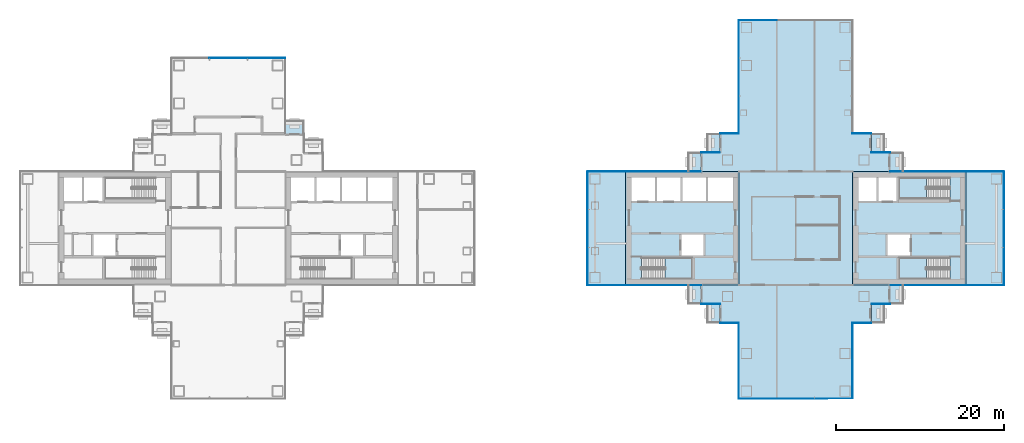
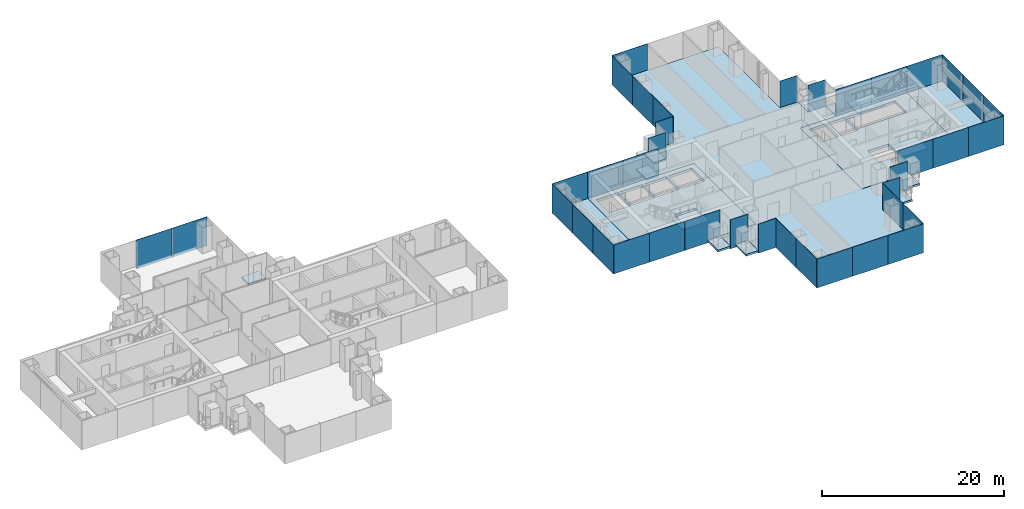
# One storey, part 10 of 20: 39 plates, 17 slabs, 23 elements without a shape of their own.
"""IFC4 building model written with IfcOpenShell, lengths in metres."""

from ifc_helpers import new_model, si_unit, direction, frame, origin, origin_2d, place, context, subcontext, project, spatial, polyline, rectangle, outline, extrude, material, layer, layer_set, type_object, element, aggregate, save


model = new_model("IFC4")

# Units and contexts
model_context = context("Model", 3, precision=1e-05, world=origin(), true_north=direction((0.0, 1.0)))
body_context = subcontext(model_context, "Body", "Model", "MODEL_VIEW")
ifc_project = project(units=[si_unit("LENGTHUNIT", "METRE"), si_unit("AREAUNIT", "SQUARE_METRE"), si_unit("VOLUMEUNIT", "CUBIC_METRE"), si_unit("PLANEANGLEUNIT", "RADIAN"), si_unit("MASSUNIT", "GRAM", prefix="KILO")], contexts=[model_context])

# Site, building, storey
site_placement = place(None, origin())
site = spatial("IfcSite", under=ifc_project, at=site_placement, CompositionType="ELEMENT")
building_placement = place(site_placement, origin())
building = spatial("IfcBuilding", under=site, at=building_placement, Name="Shamsa Quay Exchange Towers", CompositionType="ELEMENT")
storey_placement = place(building_placement, frame((0.0, 0.0, 124.800048828125)))
storey = spatial("IfcBuildingStorey", under=building, at=storey_placement, Name="L29", CompositionType="ELEMENT", Elevation=124.800048828125)

# Slabs
ifc_material_1 = material(Name="Precast concrete C40/50", Category="concrete")
ifc_layer_1 = layer(ifc_material_1, 0.25)
ifc_layer_set_1 = layer_set([ifc_layer_1], Name="BALCONY SLAB 250")
slab_type_1 = type_object("IfcSlabType", Name="BALCONY SLAB 250", PredefinedType="FLOOR", material=ifc_layer_set_1)
slab_1_placement = place(storey_placement, frame((0.0, 0.0, -0.25)))
element("IfcSlab", 1, at=slab_1_placement, inside=storey, type_object=slab_type_1, Name="Balcony T1-PKEN L29", PredefinedType="FLOOR", context=body_context, shape_type="SweptSolid", body=[
    extrude(outline(polyline([(-24.75, 11.25), (-26.9619140625, 11.25), (-26.9619140625, 12.800048828125), (-24.75, 12.800048828125), (-24.75, 11.25)])), origin(), (0.0, 0.0, 1.0), 0.25),
])
slab_2_placement = place(storey_placement, frame((0.0, 0.0, -0.25)))
element("IfcSlab", 2, at=slab_2_placement, inside=storey, type_object=slab_type_1, Name="Balcony T2-PKEN L29", PredefinedType="FLOOR", context=body_context, shape_type="SweptSolid", body=[
    extrude(outline(polyline([(24.75, 11.25), (24.75, 9.0380859375), (23.199951171875, 9.0380859375), (23.199951171875, 11.25), (24.75, 11.25)])), origin(), (0.0, 0.0, 1.0), 0.25),
])
slab_3_placement = place(storey_placement, frame((0.0, 0.0, -0.25)))
element("IfcSlab", 3, at=slab_3_placement, inside=storey, type_object=slab_type_1, Name="Balcony T2-PKEN L29", PredefinedType="FLOOR", context=body_context, shape_type="SweptSolid", body=[
    extrude(outline(polyline([(22.5, 9.0), (22.5, 6.7880859375), (20.949951171875, 6.7880859375), (20.949951171875, 9.0), (22.5, 9.0)])), origin(), (0.0, 0.0, 1.0), 0.25),
])
slab_4_placement = place(storey_placement, frame((0.0, 0.0, -0.25)))
element("IfcSlab", 4, at=slab_4_placement, inside=storey, type_object=slab_type_1, Name="Balcony T2-PKES L29", PredefinedType="FLOOR", context=body_context, shape_type="SweptSolid", body=[
    extrude(outline(polyline([(42.75, 9.0380859375), (42.75, 11.25), (44.300048828125, 11.25), (44.300048828125, 9.0380859375), (42.75, 9.0380859375)])), origin(), (0.0, 0.0, 1.0), 0.25),
])
slab_5_placement = place(storey_placement, frame((0.0, 0.0, -0.25)))
element("IfcSlab", 5, at=slab_5_placement, inside=storey, type_object=slab_type_1, Name="Balcony T2-PKES L29", PredefinedType="FLOOR", context=body_context, shape_type="SweptSolid", body=[
    extrude(outline(polyline([(45.0, 6.7880859375), (45.0, 9.0), (46.550048828125, 9.0), (46.550048828125, 6.7880859375), (45.0, 6.7880859375)])), origin(), (0.0, 0.0, 1.0), 0.25),
])
slab_6_placement = place(storey_placement, frame((0.0, 0.0, -0.25)))
element("IfcSlab", 6, at=slab_6_placement, inside=storey, type_object=slab_type_1, Name="Balcony T2-PKWN L29", PredefinedType="FLOOR", context=body_context, shape_type="SweptSolid", body=[
    extrude(outline(polyline([(22.5, -6.7880859375), (22.5, -9.0), (20.949951171875, -9.0), (20.949951171875, -6.7880859375), (22.5, -6.7880859375)])), origin(), (0.0, 0.0, 1.0), 0.25),
])
slab_7_placement = place(storey_placement, frame((0.0, 0.0, -0.25)))
element("IfcSlab", 7, at=slab_7_placement, inside=storey, type_object=slab_type_1, Name="Balcony T2-PKWN L29", PredefinedType="FLOOR", context=body_context, shape_type="SweptSolid", body=[
    extrude(outline(polyline([(24.75, -9.0380859375), (24.75, -11.25), (23.199951171875, -11.25), (23.199951171875, -9.0380859375), (24.75, -9.0380859375)])), origin(), (0.0, 0.0, 1.0), 0.25),
])
slab_8_placement = place(storey_placement, frame((0.0, 0.0, -0.25)))
element("IfcSlab", 8, at=slab_8_placement, inside=storey, type_object=slab_type_1, Name="Balcony T2-PKWS L29", PredefinedType="FLOOR", context=body_context, shape_type="SweptSolid", body=[
    extrude(outline(polyline([(42.75, -11.25), (42.75, -9.0380859375), (44.300048828125, -9.0380859375), (44.300048828125, -11.25), (42.75, -11.25)])), origin(), (0.0, 0.0, 1.0), 0.25),
])
slab_9_placement = place(storey_placement, frame((0.0, 0.0, -0.25)))
element("IfcSlab", 9, at=slab_9_placement, inside=storey, type_object=slab_type_1, Name="Balcony T2-PKWS L29", PredefinedType="FLOOR", context=body_context, shape_type="SweptSolid", body=[
    extrude(outline(polyline([(45.0, -9.0), (45.0, -6.7880859375), (46.550048828125, -6.7880859375), (46.550048828125, -9.0), (45.0, -9.0)])), origin(), (0.0, 0.0, 1.0), 0.25),
])
ifc_material_2 = material(Name="Concrete C50/60", Category="concrete")
ifc_layer_2 = layer(ifc_material_2, 0.35009765625)
ifc_layer_set_2 = layer_set([ifc_layer_2], Name="CORE FLOOR 350 C50/60")
slab_type_2 = type_object("IfcSlabType", Name="CORE FLOOR 350 C50/60", PredefinedType="FLOOR", material=ifc_layer_set_2)
slab_10_placement = place(storey_placement, frame((0.0, 0.0, -0.35009765625)))
element("IfcSlab", 10, at=slab_10_placement, inside=storey, type_object=slab_type_2, Name="Core floor T2A", PredefinedType="FLOOR", context=body_context, shape_type="SweptSolid", body=[
    extrude(outline(polyline([(13.5, -6.75), (27.0, -6.75), (27.0, 6.75), (13.5, 6.75), (13.5, -6.75)]), holes=[polyline([(15.400634765625, -6.050048828125), (15.400634765625, -3.5), (21.5, -3.5), (21.5, -6.050048828125), (15.400634765625, -6.050048828125)]), polyline([(14.199951171875, 3.25), (14.199951171875, 6.050048828125), (17.0, 6.050048828125), (17.0, 3.25), (14.199951171875, 3.25)]), polyline([(17.25, 3.25), (17.25, 6.050048828125), (20.050048828125, 6.050048828125), (20.050048828125, 3.25), (17.25, 3.25)]), polyline([(20.300048828125, 3.25), (20.300048828125, 6.050048828125), (23.10009765625, 6.050048828125), (23.10009765625, 3.25), (20.300048828125, 3.25)]), polyline([(23.35009765625, 3.25), (23.35009765625, 6.050048828125), (26.300048828125, 6.050048828125), (26.300048828125, 3.25), (23.35009765625, 3.25)]), polyline([(20.14990234375, -3.25), (20.14990234375, -0.75), (22.800048828125, -0.75), (22.800048828125, -3.25), (20.14990234375, -3.25)])]), origin(), (0.0, 0.0, 1.0), 0.35009765625),
])
slab_11_placement = place(storey_placement, frame((0.0, 0.0, -0.35009765625)))
element("IfcSlab", 11, at=slab_11_placement, inside=storey, type_object=slab_type_2, Name="Core floor T2B", PredefinedType="FLOOR", context=body_context, shape_type="SweptSolid", body=[
    extrude(outline(polyline([(54.0, -6.75), (54.0, 6.75), (40.5, 6.75), (40.5, -6.75), (54.0, -6.75)]), holes=[polyline([(52.099365234375, -3.5), (52.099365234375, -6.050048828125), (46.0, -6.050048828125), (46.0, -3.5), (52.099365234375, -3.5)]), polyline([(52.099365234375, 6.050048828125), (52.099365234375, 3.5), (46.0, 3.5), (46.0, 6.050048828125), (52.099365234375, 6.050048828125)]), polyline([(45.75, 3.25), (43.60009765625, 3.25), (43.60009765625, 6.050048828125), (45.75, 6.050048828125), (45.75, 3.25)]), polyline([(43.35009765625, 3.25), (41.199951171875, 3.25), (41.199951171875, 6.050048828125), (43.35009765625, 6.050048828125), (43.35009765625, 3.25)]), polyline([(47.35009765625, -3.25), (44.699951171875, -3.25), (44.699951171875, -0.75), (47.35009765625, -0.75), (47.35009765625, -3.25)])]), origin(), (0.0, 0.0, 1.0), 0.35009765625),
])

# Stair, slab
ifc_material_3 = material(Name="Concrete C40/50", Category="concrete")
stair_type = type_object("IfcStairType", Name="EXIT STAIR 22 RISERS 177 MM", PredefinedType="HALF_TURN_STAIR", material=ifc_material_3)
stair_1_placement = place(storey_placement, origin())
stair_1 = element("IfcStair", 12, at=stair_1_placement, inside=storey, type_object=stair_type, Name="L29 Exit stair ST4", PredefinedType="HALF_TURN_STAIR")
ifc_layer_3 = layer(ifc_material_3, 0.199951171875)
ifc_layer_set_3 = layer_set([ifc_layer_3], Name="CORE STAIR LANDING")
slab_type_3 = type_object("IfcSlabType", Name="CORE STAIR LANDING", PredefinedType="LANDING", material=ifc_layer_set_3)
slab_12_placement = place(storey_placement, frame((0.0, 0.0, 1.75)))
slab_12 = element("IfcSlab", 13, at=slab_12_placement, type_object=slab_type_3, Name="ST4 landing 1", PredefinedType="LANDING", context=body_context, shape_type="SweptSolid", body=[
    extrude(outline(polyline([(18.199951171875, -6.050048828125), (21.5, -6.050048828125), (21.5, -3.5), (18.199951171875, -3.5), (18.199951171875, -6.050048828125)])), origin(), (0.0, 0.0, 1.0), 0.199951171875),
])
aggregate(stair_1, [slab_12])

stair_2_placement = place(storey_placement, origin())
stair_2 = element("IfcStair", 14, at=stair_2_placement, inside=storey, type_object=stair_type, Name="L29 Exit stair ST5", PredefinedType="HALF_TURN_STAIR")
slab_13_placement = place(storey_placement, frame((0.0, 0.0, 1.75)))
slab_13 = element("IfcSlab", 15, at=slab_13_placement, type_object=slab_type_3, Name="ST5 landing 1", PredefinedType="LANDING", context=body_context, shape_type="SweptSolid", body=[
    extrude(outline(polyline([(49.300048828125, -3.5), (46.0, -3.5), (46.0, -6.050048828125), (49.300048828125, -6.050048828125), (49.300048828125, -3.5)])), origin(), (0.0, 0.0, 1.0), 0.199951171875),
])
aggregate(stair_2, [slab_13])

stair_3_placement = place(storey_placement, origin())
stair_3 = element("IfcStair", 16, at=stair_3_placement, inside=storey, type_object=stair_type, Name="L29 Exit stair ST6", PredefinedType="HALF_TURN_STAIR")
slab_14_placement = place(storey_placement, frame((0.0, 0.0, 1.75)))
slab_14 = element("IfcSlab", 17, at=slab_14_placement, type_object=slab_type_3, Name="ST6 landing 1", PredefinedType="LANDING", context=body_context, shape_type="SweptSolid", body=[
    extrude(outline(polyline([(49.300048828125, 6.050048828125), (46.0, 6.050048828125), (46.0, 3.5), (49.300048828125, 3.5), (49.300048828125, 6.050048828125)])), origin(), (0.0, 0.0, 1.0), 0.199951171875),
])
aggregate(stair_3, [slab_14])

# Curtain wall, plates
ifc_material_4 = material(Name="Aluminium EN AW-6063 T6, black anodised", Category="aluminium")
ifc_layer_4 = layer(ifc_material_4, 0.280029296875)
ifc_layer_set_4 = layer_set([ifc_layer_4], Name="CW-1 UNITISED VISION GLASS")
curtain_wall_type_1 = type_object("IfcCurtainWallType", Name="CW-1 UNITISED VISION GLASS", PredefinedType="NOTDEFINED", material=ifc_layer_set_4)
curtain_wall_1_placement = place(storey_placement, origin())
curtain_wall_1 = element("IfcCurtainWall", 18, at=curtain_wall_1_placement, inside=storey, type_object=curtain_wall_type_1, Name="CW1 T1-END-V+ L29", PredefinedType="NOTDEFINED")
ifc_material_5 = material(Name="Glass, laminated, dark tinted", Category="glass")
ifc_layer_5 = layer(ifc_material_5, 0.0400390625)
ifc_layer_set_5 = layer_set([ifc_layer_5], Name="CW-1 VISION GLASS 40")
plate_type_1 = type_object("IfcPlateType", Name="CW-1 VISION GLASS 40", PredefinedType="CURTAIN_PANEL", material=ifc_layer_set_5)
plate_1_placement = place(storey_placement, frame((-29.24755859375, 20.27001953125, -0.35009765625), z_axis=(0.0, 0.0, 1.0), x_axis=(-1.0, 0.0, 0.0)))
plate_1 = element("IfcPlate", 19, at=plate_1_placement, type_object=plate_type_1, Name="CW1 glass panel", PredefinedType="CURTAIN_PANEL", context=body_context, shape_type="SweptSolid", body=[
    extrude(rectangle(XDim=4.4951171875, YDim=0.0400390625, at=origin_2d()), origin(), (0.0, 0.0, 1.0), 3.89990234375),
])
plate_2_placement = place(storey_placement, frame((-33.75, 20.27001953125, -0.35009765625), z_axis=(0.0, 0.0, 1.0), x_axis=(-1.0, 0.0, 0.0)))
plate_2 = element("IfcPlate", 20, at=plate_2_placement, type_object=plate_type_1, Name="CW1 glass panel", PredefinedType="CURTAIN_PANEL", context=body_context, shape_type="SweptSolid", body=[
    extrude(rectangle(XDim=4.489990234375, YDim=0.0400390625, at=origin_2d()), origin(), (0.0, 0.0, 1.0), 3.89990234375),
])
aggregate(curtain_wall_1, [plate_1, plate_2])

# Curtain wall, plate
curtain_wall_2_placement = place(storey_placement, origin())
curtain_wall_2 = element("IfcCurtainWall", 21, at=curtain_wall_2_placement, inside=storey, type_object=curtain_wall_type_1, Name="CW1 T2-FLK-V-W L29", PredefinedType="NOTDEFINED")
plate_3_placement = place(storey_placement, frame((56.25, -6.77001953125, -0.35009765625)))
plate_3 = element("IfcPlate", 22, at=plate_3_placement, type_object=plate_type_1, Name="CW1 glass panel", PredefinedType="CURTAIN_PANEL", context=body_context, shape_type="SweptSolid", body=[
    extrude(rectangle(XDim=4.5, YDim=0.0400390625, at=origin_2d()), origin(), (0.0, 0.0, 1.0), 3.89990234375),
])
aggregate(curtain_wall_2, [plate_3])

# Curtain wall, plates
curtain_wall_3_placement = place(storey_placement, origin())
curtain_wall_3 = element("IfcCurtainWall", 23, at=curtain_wall_3_placement, inside=storey, type_object=curtain_wall_type_1, Name="CW1 T2-END-V- L29", PredefinedType="NOTDEFINED")
plate_4_placement = place(storey_placement, frame((58.52001953125, -4.50244140625, -0.35009765625), z_axis=(0.0, 0.0, 1.0), x_axis=(0.0, 1.0, 0.0)))
plate_4 = element("IfcPlate", 24, at=plate_4_placement, type_object=plate_type_1, Name="CW1 glass panel", PredefinedType="CURTAIN_PANEL", context=body_context, shape_type="SweptSolid", body=[
    extrude(rectangle(XDim=4.4951171875, YDim=0.0400390625, at=origin_2d()), origin(), (0.0, 0.0, 1.0), 3.89990234375),
])
plate_5_placement = place(storey_placement, frame((58.52001953125, 0.0, -0.35009765625), z_axis=(0.0, 0.0, 1.0), x_axis=(0.0, 1.0, 0.0)))
plate_5 = element("IfcPlate", 25, at=plate_5_placement, type_object=plate_type_1, Name="CW1 glass panel", PredefinedType="CURTAIN_PANEL", context=body_context, shape_type="SweptSolid", body=[
    extrude(rectangle(XDim=4.489990234375, YDim=0.0400390625, at=origin_2d()), origin(), (0.0, 0.0, 1.0), 3.89990234375),
])
plate_6_placement = place(storey_placement, frame((58.52001953125, 4.50244140625, -0.35009765625), z_axis=(0.0, 0.0, 1.0), x_axis=(0.0, 1.0, 0.0)))
plate_6 = element("IfcPlate", 26, at=plate_6_placement, type_object=plate_type_1, Name="CW1 glass panel", PredefinedType="CURTAIN_PANEL", context=body_context, shape_type="SweptSolid", body=[
    extrude(rectangle(XDim=4.4951171875, YDim=0.0400390625, at=origin_2d()), origin(), (0.0, 0.0, 1.0), 3.89990234375),
])
aggregate(curtain_wall_3, [plate_4, plate_5, plate_6])

# Curtain wall, plate
curtain_wall_4_placement = place(storey_placement, origin())
curtain_wall_4 = element("IfcCurtainWall", 27, at=curtain_wall_4_placement, inside=storey, type_object=curtain_wall_type_1, Name="CW1 T2-FLK-V-E L29", PredefinedType="NOTDEFINED")
plate_7_placement = place(storey_placement, frame((56.25, 6.77001953125, -0.35009765625), z_axis=(0.0, 0.0, 1.0), x_axis=(-1.0, 0.0, 0.0)))
plate_7 = element("IfcPlate", 28, at=plate_7_placement, type_object=plate_type_1, Name="CW1 glass panel", PredefinedType="CURTAIN_PANEL", context=body_context, shape_type="SweptSolid", body=[
    extrude(rectangle(XDim=4.5, YDim=0.0400390625, at=origin_2d()), origin(), (0.0, 0.0, 1.0), 3.89990234375),
])
aggregate(curtain_wall_4, [plate_7])

curtain_wall_5_placement = place(storey_placement, origin())
curtain_wall_5 = element("IfcCurtainWall", 29, at=curtain_wall_5_placement, inside=storey, type_object=curtain_wall_type_1, Name="CW1 T2-END-U+ L29", PredefinedType="NOTDEFINED")
plate_8_placement = place(storey_placement, frame((29.24755859375, 24.77001953125, -0.35009765625), z_axis=(0.0, 0.0, 1.0), x_axis=(-1.0, 0.0, 0.0)))
plate_8 = element("IfcPlate", 30, at=plate_8_placement, type_object=plate_type_1, Name="CW1 glass panel", PredefinedType="CURTAIN_PANEL", context=body_context, shape_type="SweptSolid", body=[
    extrude(rectangle(XDim=4.4951171875, YDim=0.0400390625, at=origin_2d()), origin(), (0.0, 0.0, 1.0), 3.89990234375),
])
aggregate(curtain_wall_5, [plate_8])

# Curtain wall, plates
curtain_wall_6_placement = place(storey_placement, origin())
curtain_wall_6 = element("IfcCurtainWall", 31, at=curtain_wall_6_placement, inside=storey, type_object=curtain_wall_type_1, Name="CW1 T2-FLK-U+N L29", PredefinedType="NOTDEFINED")
plate_9_placement = place(storey_placement, frame((26.97998046875, 22.50244140625, -0.35009765625), z_axis=(0.0, 0.0, 1.0), x_axis=(0.0, -1.0, 0.0)))
plate_9 = element("IfcPlate", 32, at=plate_9_placement, type_object=plate_type_1, Name="CW1 glass panel", PredefinedType="CURTAIN_PANEL", context=body_context, shape_type="SweptSolid", body=[
    extrude(rectangle(XDim=4.4951171875, YDim=0.0400390625, at=origin_2d()), origin(), (0.0, 0.0, 1.0), 3.89990234375),
])
plate_10_placement = place(storey_placement, frame((26.97998046875, 18.0, -0.35009765625), z_axis=(0.0, 0.0, 1.0), x_axis=(0.0, -1.0, 0.0)))
plate_10 = element("IfcPlate", 33, at=plate_10_placement, type_object=plate_type_1, Name="CW1 glass panel", PredefinedType="CURTAIN_PANEL", context=body_context, shape_type="SweptSolid", body=[
    extrude(rectangle(XDim=4.489990234375, YDim=0.0400390625, at=origin_2d()), origin(), (0.0, 0.0, 1.0), 3.89990234375),
])
plate_11_placement = place(storey_placement, frame((26.97998046875, 13.49755859375, -0.35009765625), z_axis=(0.0, 0.0, 1.0), x_axis=(0.0, -1.0, 0.0)))
plate_11 = element("IfcPlate", 34, at=plate_11_placement, type_object=plate_type_1, Name="CW1 glass panel", PredefinedType="CURTAIN_PANEL", context=body_context, shape_type="SweptSolid", body=[
    extrude(rectangle(XDim=4.4951171875, YDim=0.0400390625, at=origin_2d()), origin(), (0.0, 0.0, 1.0), 3.89990234375),
])
aggregate(curtain_wall_6, [plate_9, plate_10, plate_11])

# Curtain wall, plate
curtain_wall_7_placement = place(storey_placement, origin())
curtain_wall_7 = element("IfcCurtainWall", 35, at=curtain_wall_7_placement, inside=storey, type_object=curtain_wall_type_1, Name="CW1 T2-FLK-V+E L29", PredefinedType="NOTDEFINED")
plate_12_placement = place(storey_placement, frame((11.25, 6.77001953125, -0.35009765625), z_axis=(0.0, 0.0, 1.0), x_axis=(-1.0, 0.0, 0.0)))
plate_12 = element("IfcPlate", 36, at=plate_12_placement, type_object=plate_type_1, Name="CW1 glass panel", PredefinedType="CURTAIN_PANEL", context=body_context, shape_type="SweptSolid", body=[
    extrude(rectangle(XDim=4.5, YDim=0.0400390625, at=origin_2d()), origin(), (0.0, 0.0, 1.0), 3.89990234375),
])
aggregate(curtain_wall_7, [plate_12])

# Curtain wall, plates
curtain_wall_8_placement = place(storey_placement, origin())
curtain_wall_8 = element("IfcCurtainWall", 37, at=curtain_wall_8_placement, inside=storey, type_object=curtain_wall_type_1, Name="CW1 T2-END-V+ L29", PredefinedType="NOTDEFINED")
plate_13_placement = place(storey_placement, frame((8.97998046875, 4.50244140625, -0.35009765625), z_axis=(0.0, 0.0, 1.0), x_axis=(0.0, -1.0, 0.0)))
plate_13 = element("IfcPlate", 38, at=plate_13_placement, type_object=plate_type_1, Name="CW1 glass panel", PredefinedType="CURTAIN_PANEL", context=body_context, shape_type="SweptSolid", body=[
    extrude(rectangle(XDim=4.4951171875, YDim=0.0400390625, at=origin_2d()), origin(), (0.0, 0.0, 1.0), 3.89990234375),
])
plate_14_placement = place(storey_placement, frame((8.97998046875, 0.0, -0.35009765625), z_axis=(0.0, 0.0, 1.0), x_axis=(0.0, -1.0, 0.0)))
plate_14 = element("IfcPlate", 39, at=plate_14_placement, type_object=plate_type_1, Name="CW1 glass panel", PredefinedType="CURTAIN_PANEL", context=body_context, shape_type="SweptSolid", body=[
    extrude(rectangle(XDim=4.489990234375, YDim=0.0400390625, at=origin_2d()), origin(), (0.0, 0.0, 1.0), 3.89990234375),
])
plate_15_placement = place(storey_placement, frame((8.97998046875, -4.50244140625, -0.35009765625), z_axis=(0.0, 0.0, 1.0), x_axis=(0.0, -1.0, 0.0)))
plate_15 = element("IfcPlate", 40, at=plate_15_placement, type_object=plate_type_1, Name="CW1 glass panel", PredefinedType="CURTAIN_PANEL", context=body_context, shape_type="SweptSolid", body=[
    extrude(rectangle(XDim=4.4951171875, YDim=0.0400390625, at=origin_2d()), origin(), (0.0, 0.0, 1.0), 3.89990234375),
])
aggregate(curtain_wall_8, [plate_13, plate_14, plate_15])

# Curtain wall, plate
curtain_wall_9_placement = place(storey_placement, origin())
curtain_wall_9 = element("IfcCurtainWall", 41, at=curtain_wall_9_placement, inside=storey, type_object=curtain_wall_type_1, Name="CW1 T2-FLK-V+W L29", PredefinedType="NOTDEFINED")
plate_16_placement = place(storey_placement, frame((11.25, -6.77001953125, -0.35009765625)))
plate_16 = element("IfcPlate", 42, at=plate_16_placement, type_object=plate_type_1, Name="CW1 glass panel", PredefinedType="CURTAIN_PANEL", context=body_context, shape_type="SweptSolid", body=[
    extrude(rectangle(XDim=4.5, YDim=0.0400390625, at=origin_2d()), origin(), (0.0, 0.0, 1.0), 3.89990234375),
])
aggregate(curtain_wall_9, [plate_16])

# Curtain wall, plates
curtain_wall_10_placement = place(storey_placement, origin())
curtain_wall_10 = element("IfcCurtainWall", 43, at=curtain_wall_10_placement, inside=storey, type_object=curtain_wall_type_1, Name="CW1 T2-FLK-U-N L29", PredefinedType="NOTDEFINED")
plate_17_placement = place(storey_placement, frame((26.97998046875, -13.52587890625, -0.35009765625), z_axis=(0.0, 0.0, 1.0), x_axis=(0.0, -1.0, 0.0)))
plate_17 = element("IfcPlate", 44, at=plate_17_placement, type_object=plate_type_1, Name="CW1 glass panel", PredefinedType="CURTAIN_PANEL", context=body_context, shape_type="SweptSolid", body=[
    extrude(rectangle(XDim=4.47607421875, YDim=0.0400390625, at=origin_2d()), origin(), (0.0, 0.0, 1.0), 3.89990234375),
])
plate_18_placement = place(storey_placement, frame((26.97998046875, -18.011962890625, -0.35009765625), z_axis=(0.0, 0.0, 1.0), x_axis=(0.0, -1.0, 0.0)))
plate_18 = element("IfcPlate", 45, at=plate_18_placement, type_object=plate_type_1, Name="CW1 glass panel", PredefinedType="CURTAIN_PANEL", context=body_context, shape_type="SweptSolid", body=[
    extrude(rectangle(XDim=4.47607421875, YDim=0.0400390625, at=origin_2d()), origin(), (0.0, 0.0, 1.0), 3.89990234375),
])
aggregate(curtain_wall_10, [plate_17, plate_18])

curtain_wall_11_placement = place(storey_placement, origin())
curtain_wall_11 = element("IfcCurtainWall", 46, at=curtain_wall_11_placement, inside=storey, type_object=curtain_wall_type_1, Name="CW1 T2-END-U- L29", PredefinedType="NOTDEFINED")
plate_19_placement = place(storey_placement, frame((29.24755859375, -20.27001953125, -0.35009765625)))
plate_19 = element("IfcPlate", 47, at=plate_19_placement, type_object=plate_type_1, Name="CW1 glass panel", PredefinedType="CURTAIN_PANEL", context=body_context, shape_type="SweptSolid", body=[
    extrude(rectangle(XDim=4.4951171875, YDim=0.0400390625, at=origin_2d()), origin(), (0.0, 0.0, 1.0), 3.89990234375),
])
plate_20_placement = place(storey_placement, frame((33.75, -20.27001953125, -0.35009765625)))
plate_20 = element("IfcPlate", 48, at=plate_20_placement, type_object=plate_type_1, Name="CW1 glass panel", PredefinedType="CURTAIN_PANEL", context=body_context, shape_type="SweptSolid", body=[
    extrude(rectangle(XDim=4.489990234375, YDim=0.0400390625, at=origin_2d()), origin(), (0.0, 0.0, 1.0), 3.89990234375),
])
plate_21_placement = place(storey_placement, frame((38.25244140625, -20.27001953125, -0.35009765625)))
plate_21 = element("IfcPlate", 49, at=plate_21_placement, type_object=plate_type_1, Name="CW1 glass panel", PredefinedType="CURTAIN_PANEL", context=body_context, shape_type="SweptSolid", body=[
    extrude(rectangle(XDim=4.4951171875, YDim=0.0400390625, at=origin_2d()), origin(), (0.0, 0.0, 1.0), 3.89990234375),
])
aggregate(curtain_wall_11, [plate_19, plate_20, plate_21])

curtain_wall_12_placement = place(storey_placement, origin())
curtain_wall_12 = element("IfcCurtainWall", 50, at=curtain_wall_12_placement, inside=storey, type_object=curtain_wall_type_1, Name="CW1 T2-FLK-U-S L29", PredefinedType="NOTDEFINED")
plate_22_placement = place(storey_placement, frame((40.52001953125, -18.00244140625, -0.35009765625), z_axis=(0.0, 0.0, 1.0), x_axis=(0.0, 1.0, 0.0)))
plate_22 = element("IfcPlate", 51, at=plate_22_placement, type_object=plate_type_1, Name="CW1 glass panel", PredefinedType="CURTAIN_PANEL", context=body_context, shape_type="SweptSolid", body=[
    extrude(rectangle(XDim=4.4951171875, YDim=0.0400390625, at=origin_2d()), origin(), (0.0, 0.0, 1.0), 3.89990234375),
])
plate_23_placement = place(storey_placement, frame((40.52001953125, -13.49755859375, -0.35009765625), z_axis=(0.0, 0.0, 1.0), x_axis=(0.0, 1.0, 0.0)))
plate_23 = element("IfcPlate", 52, at=plate_23_placement, type_object=plate_type_1, Name="CW1 glass panel", PredefinedType="CURTAIN_PANEL", context=body_context, shape_type="SweptSolid", body=[
    extrude(rectangle(XDim=4.4951171875, YDim=0.0400390625, at=origin_2d()), origin(), (0.0, 0.0, 1.0), 3.89990234375),
])
aggregate(curtain_wall_12, [plate_22, plate_23])

ifc_layer_6 = layer(ifc_material_4, 0.303955078125)
ifc_layer_set_6 = layer_set([ifc_layer_6], Name="CW-2 UNITISED OPAQUE SPANDREL GLASS")
curtain_wall_type_2 = type_object("IfcCurtainWallType", Name="CW-2 UNITISED OPAQUE SPANDREL GLASS", PredefinedType="NOTDEFINED", material=ifc_layer_set_6)
curtain_wall_13_placement = place(storey_placement, origin())
curtain_wall_13 = element("IfcCurtainWall", 53, at=curtain_wall_13_placement, inside=storey, type_object=curtain_wall_type_2, Name="CW2 T2-FLK-V-W L29", PredefinedType="NOTDEFINED")
ifc_material_6 = material(Name="Glass, laminated, black enamelled opaque", Category="glass")
ifc_layer_7 = layer(ifc_material_6, 0.0439453125)
ifc_layer_set_7 = layer_set([ifc_layer_7], Name="CW-2 SPANDREL GLASS 44")
plate_type_2 = type_object("IfcPlateType", Name="CW-2 SPANDREL GLASS 44", PredefinedType="CURTAIN_PANEL", material=ifc_layer_set_7)
plate_24_placement = place(storey_placement, frame((47.27587890625, -6.77197265625, -0.35009765625)))
plate_24 = element("IfcPlate", 54, at=plate_24_placement, type_object=plate_type_2, Name="CW2 glass panel", PredefinedType="CURTAIN_PANEL", context=body_context, shape_type="SweptSolid", body=[
    extrude(rectangle(XDim=4.47607421875, YDim=0.0439453125, at=origin_2d()), origin(), (0.0, 0.0, 1.0), 3.89990234375),
])
plate_25_placement = place(storey_placement, frame((51.761962890625, -6.77197265625, -0.35009765625)))
plate_25 = element("IfcPlate", 55, at=plate_25_placement, type_object=plate_type_2, Name="CW2 glass panel", PredefinedType="CURTAIN_PANEL", context=body_context, shape_type="SweptSolid", body=[
    extrude(rectangle(XDim=4.47607421875, YDim=0.0439453125, at=origin_2d()), origin(), (0.0, 0.0, 1.0), 3.89990234375),
])
aggregate(curtain_wall_13, [plate_24, plate_25])

curtain_wall_14_placement = place(storey_placement, origin())
curtain_wall_14 = element("IfcCurtainWall", 56, at=curtain_wall_14_placement, inside=storey, type_object=curtain_wall_type_2, Name="CW2 T2-FLK-V-E L29", PredefinedType="NOTDEFINED")
plate_26_placement = place(storey_placement, frame((51.75244140625, 6.77197265625, -0.35009765625), z_axis=(0.0, 0.0, 1.0), x_axis=(-1.0, 0.0, 0.0)))
plate_26 = element("IfcPlate", 57, at=plate_26_placement, type_object=plate_type_2, Name="CW2 glass panel", PredefinedType="CURTAIN_PANEL", context=body_context, shape_type="SweptSolid", body=[
    extrude(rectangle(XDim=4.4951171875, YDim=0.0439453125, at=origin_2d()), origin(), (0.0, 0.0, 1.0), 3.89990234375),
])
plate_27_placement = place(storey_placement, frame((47.24755859375, 6.77197265625, -0.35009765625), z_axis=(0.0, 0.0, 1.0), x_axis=(-1.0, 0.0, 0.0)))
plate_27 = element("IfcPlate", 58, at=plate_27_placement, type_object=plate_type_2, Name="CW2 glass panel", PredefinedType="CURTAIN_PANEL", context=body_context, shape_type="SweptSolid", body=[
    extrude(rectangle(XDim=4.4951171875, YDim=0.0439453125, at=origin_2d()), origin(), (0.0, 0.0, 1.0), 3.89990234375),
])
aggregate(curtain_wall_14, [plate_26, plate_27])

curtain_wall_15_placement = place(storey_placement, origin())
curtain_wall_15 = element("IfcCurtainWall", 59, at=curtain_wall_15_placement, inside=storey, type_object=curtain_wall_type_2, Name="CW2 T2-FLK-V+E L29", PredefinedType="NOTDEFINED")
plate_28_placement = place(storey_placement, frame((20.22412109375, 6.77197265625, -0.35009765625), z_axis=(0.0, 0.0, 1.0), x_axis=(-1.0, 0.0, 0.0)))
plate_28 = element("IfcPlate", 60, at=plate_28_placement, type_object=plate_type_2, Name="CW2 glass panel", PredefinedType="CURTAIN_PANEL", context=body_context, shape_type="SweptSolid", body=[
    extrude(rectangle(XDim=4.47607421875, YDim=0.0439453125, at=origin_2d()), origin(), (0.0, 0.0, 1.0), 3.89990234375),
])
plate_29_placement = place(storey_placement, frame((15.738037109375, 6.77197265625, -0.35009765625), z_axis=(0.0, 0.0, 1.0), x_axis=(-1.0, 0.0, 0.0)))
plate_29 = element("IfcPlate", 61, at=plate_29_placement, type_object=plate_type_2, Name="CW2 glass panel", PredefinedType="CURTAIN_PANEL", context=body_context, shape_type="SweptSolid", body=[
    extrude(rectangle(XDim=4.47607421875, YDim=0.0439453125, at=origin_2d()), origin(), (0.0, 0.0, 1.0), 3.89990234375),
])
aggregate(curtain_wall_15, [plate_28, plate_29])

curtain_wall_16_placement = place(storey_placement, origin())
curtain_wall_16 = element("IfcCurtainWall", 62, at=curtain_wall_16_placement, inside=storey, type_object=curtain_wall_type_2, Name="CW2 T2-FLK-V+W L29", PredefinedType="NOTDEFINED")
plate_30_placement = place(storey_placement, frame((15.74755859375, -6.77197265625, -0.35009765625)))
plate_30 = element("IfcPlate", 63, at=plate_30_placement, type_object=plate_type_2, Name="CW2 glass panel", PredefinedType="CURTAIN_PANEL", context=body_context, shape_type="SweptSolid", body=[
    extrude(rectangle(XDim=4.4951171875, YDim=0.0439453125, at=origin_2d()), origin(), (0.0, 0.0, 1.0), 3.89990234375),
])
plate_31_placement = place(storey_placement, frame((20.25244140625, -6.77197265625, -0.35009765625)))
plate_31 = element("IfcPlate", 64, at=plate_31_placement, type_object=plate_type_2, Name="CW2 glass panel", PredefinedType="CURTAIN_PANEL", context=body_context, shape_type="SweptSolid", body=[
    extrude(rectangle(XDim=4.4951171875, YDim=0.0439453125, at=origin_2d()), origin(), (0.0, 0.0, 1.0), 3.89990234375),
])
aggregate(curtain_wall_16, [plate_30, plate_31])

ifc_layer_8 = layer(ifc_material_4, 0.256103515625)
ifc_layer_set_8 = layer_set([ifc_layer_8], Name="CW-4 POCKET SERRATED GLAZING")
curtain_wall_type_3 = type_object("IfcCurtainWallType", Name="CW-4 POCKET SERRATED GLAZING", PredefinedType="NOTDEFINED", material=ifc_layer_set_8)
curtain_wall_17_placement = place(storey_placement, origin())
curtain_wall_17 = element("IfcCurtainWall", 65, at=curtain_wall_17_placement, inside=storey, type_object=curtain_wall_type_3, Name="CW4 PKWS L29", PredefinedType="NOTDEFINED")
ifc_layer_9 = layer(ifc_material_5, 0.035888671875)
ifc_layer_set_9 = layer_set([ifc_layer_9], Name="CW-4 POCKET GLASS 36")
plate_type_3 = type_object("IfcPlateType", Name="CW-4 POCKET GLASS 36", PredefinedType="CURTAIN_PANEL", material=ifc_layer_set_9)
plate_32_placement = place(storey_placement, frame((43.89404296875, -9.01806640625, -0.35009765625)))
plate_32 = element("IfcPlate", 66, at=plate_32_placement, type_object=plate_type_3, Name="CW4 glass panel", PredefinedType="CURTAIN_PANEL", context=body_context, shape_type="SweptSolid", body=[
    extrude(rectangle(XDim=2.2119140625, YDim=0.035888671875, at=origin_2d()), origin(), (0.0, 0.0, 1.0), 3.89990234375),
])
plate_33_placement = place(storey_placement, frame((41.64599609375, -11.26806640625, -0.35009765625)))
plate_33 = element("IfcPlate", 67, at=plate_33_placement, type_object=plate_type_3, Name="CW4 glass panel", PredefinedType="CURTAIN_PANEL", context=body_context, shape_type="SweptSolid", body=[
    extrude(rectangle(XDim=2.2080078125, YDim=0.035888671875, at=origin_2d()), origin(), (0.0, 0.0, 1.0), 3.89990234375),
])
aggregate(curtain_wall_17, [plate_32, plate_33])

curtain_wall_18_placement = place(storey_placement, origin())
curtain_wall_18 = element("IfcCurtainWall", 68, at=curtain_wall_18_placement, inside=storey, type_object=curtain_wall_type_3, Name="CW4 PKES L29", PredefinedType="NOTDEFINED")
plate_34_placement = place(storey_placement, frame((43.875, 9.01806640625, -0.35009765625), z_axis=(0.0, 0.0, 1.0), x_axis=(-1.0, 0.0, 0.0)))
plate_34 = element("IfcPlate", 69, at=plate_34_placement, type_object=plate_type_3, Name="CW4 glass panel", PredefinedType="CURTAIN_PANEL", context=body_context, shape_type="SweptSolid", body=[
    extrude(rectangle(XDim=2.25, YDim=0.035888671875, at=origin_2d()), origin(), (0.0, 0.0, 1.0), 3.89990234375),
])
plate_35_placement = place(storey_placement, frame((41.625, 11.26806640625, -0.35009765625), z_axis=(0.0, 0.0, 1.0), x_axis=(-1.0, 0.0, 0.0)))
plate_35 = element("IfcPlate", 70, at=plate_35_placement, type_object=plate_type_3, Name="CW4 glass panel", PredefinedType="CURTAIN_PANEL", context=body_context, shape_type="SweptSolid", body=[
    extrude(rectangle(XDim=2.25, YDim=0.035888671875, at=origin_2d()), origin(), (0.0, 0.0, 1.0), 3.89990234375),
])
aggregate(curtain_wall_18, [plate_34, plate_35])

curtain_wall_19_placement = place(storey_placement, origin())
curtain_wall_19 = element("IfcCurtainWall", 71, at=curtain_wall_19_placement, inside=storey, type_object=curtain_wall_type_3, Name="CW4 PKEN L29", PredefinedType="NOTDEFINED")
plate_36_placement = place(storey_placement, frame((25.85400390625, 11.26806640625, -0.35009765625), z_axis=(0.0, 0.0, 1.0), x_axis=(-1.0, 0.0, 0.0)))
plate_36 = element("IfcPlate", 72, at=plate_36_placement, type_object=plate_type_3, Name="CW4 glass panel", PredefinedType="CURTAIN_PANEL", context=body_context, shape_type="SweptSolid", body=[
    extrude(rectangle(XDim=2.2080078125, YDim=0.035888671875, at=origin_2d()), origin(), (0.0, 0.0, 1.0), 3.89990234375),
])
plate_37_placement = place(storey_placement, frame((23.60595703125, 9.01806640625, -0.35009765625), z_axis=(0.0, 0.0, 1.0), x_axis=(-1.0, 0.0, 0.0)))
plate_37 = element("IfcPlate", 73, at=plate_37_placement, type_object=plate_type_3, Name="CW4 glass panel", PredefinedType="CURTAIN_PANEL", context=body_context, shape_type="SweptSolid", body=[
    extrude(rectangle(XDim=2.2119140625, YDim=0.035888671875, at=origin_2d()), origin(), (0.0, 0.0, 1.0), 3.89990234375),
])
aggregate(curtain_wall_19, [plate_36, plate_37])

curtain_wall_20_placement = place(storey_placement, origin())
curtain_wall_20 = element("IfcCurtainWall", 74, at=curtain_wall_20_placement, inside=storey, type_object=curtain_wall_type_3, Name="CW4 PKWN L29", PredefinedType="NOTDEFINED")
plate_38_placement = place(storey_placement, frame((23.625, -9.01806640625, -0.35009765625)))
plate_38 = element("IfcPlate", 75, at=plate_38_placement, type_object=plate_type_3, Name="CW4 glass panel", PredefinedType="CURTAIN_PANEL", context=body_context, shape_type="SweptSolid", body=[
    extrude(rectangle(XDim=2.25, YDim=0.035888671875, at=origin_2d()), origin(), (0.0, 0.0, 1.0), 3.89990234375),
])
plate_39_placement = place(storey_placement, frame((25.875, -11.26806640625, -0.35009765625)))
plate_39 = element("IfcPlate", 76, at=plate_39_placement, type_object=plate_type_3, Name="CW4 glass panel", PredefinedType="CURTAIN_PANEL", context=body_context, shape_type="SweptSolid", body=[
    extrude(rectangle(XDim=2.25, YDim=0.035888671875, at=origin_2d()), origin(), (0.0, 0.0, 1.0), 3.89990234375),
])
aggregate(curtain_wall_20, [plate_38, plate_39])

# Slabs
ifc_layer_10 = layer(ifc_material_3, 0.35009765625)
ifc_layer_set_10 = layer_set([ifc_layer_10], Name="Flat slab 350")
slab_type_4 = type_object("IfcSlabType", Name="Flat slab 350", PredefinedType="FLOOR", material=ifc_layer_set_10)
slab_15_placement = place(storey_placement, frame((0.0, 0.0, -0.35009765625)))
element("IfcSlab", 77, at=slab_15_placement, inside=storey, type_object=slab_type_4, Name="Flat slab T2 L29 4", PredefinedType="FLOOR", context=body_context, shape_type="SweptSolid", body=[
    extrude(outline(polyline([(9.0, -6.75), (13.5, -6.75), (13.5, 6.75), (9.0, 6.75), (9.0, -6.75)])), origin(), (0.0, 0.0, 1.0), 0.35009765625),
])
slab_16_placement = place(storey_placement, frame((0.0, 0.0, -0.35009765625)))
element("IfcSlab", 78, at=slab_16_placement, inside=storey, type_object=slab_type_4, Name="Flat slab T2 L29 5", PredefinedType="FLOOR", context=body_context, shape_type="SweptSolid", body=[
    extrude(outline(polyline([(45.0, -9.0), (45.0, -6.75), (40.5, -6.75), (40.5, 6.75), (45.0, 6.75), (45.0, 9.0), (42.75, 9.0), (42.75, 11.25), (40.5, 11.25), (40.5, 24.75), (27.0, 24.75), (27.0, 11.25), (24.75, 11.25), (24.75, 9.0), (22.5, 9.0), (22.5, 6.75), (27.0, 6.75), (27.0, -6.75), (22.5, -6.75), (22.5, -9.0), (24.75, -9.0), (24.75, -11.25), (27.0, -11.25), (27.0, -20.25), (40.5, -20.25), (40.5, -11.25), (42.75, -11.25), (42.75, -9.0), (45.0, -9.0)])), origin(), (0.0, 0.0, 1.0), 0.35009765625),
])
slab_17_placement = place(storey_placement, frame((0.0, 0.0, -0.35009765625)))
element("IfcSlab", 79, at=slab_17_placement, inside=storey, type_object=slab_type_4, Name="Flat slab T2 L29 6", PredefinedType="FLOOR", context=body_context, shape_type="SweptSolid", body=[
    extrude(outline(polyline([(58.5, 6.75), (54.0, 6.75), (54.0, -6.75), (58.5, -6.75), (58.5, 6.75)])), origin(), (0.0, 0.0, 1.0), 0.35009765625),
])

save(model, "model.ifc")
